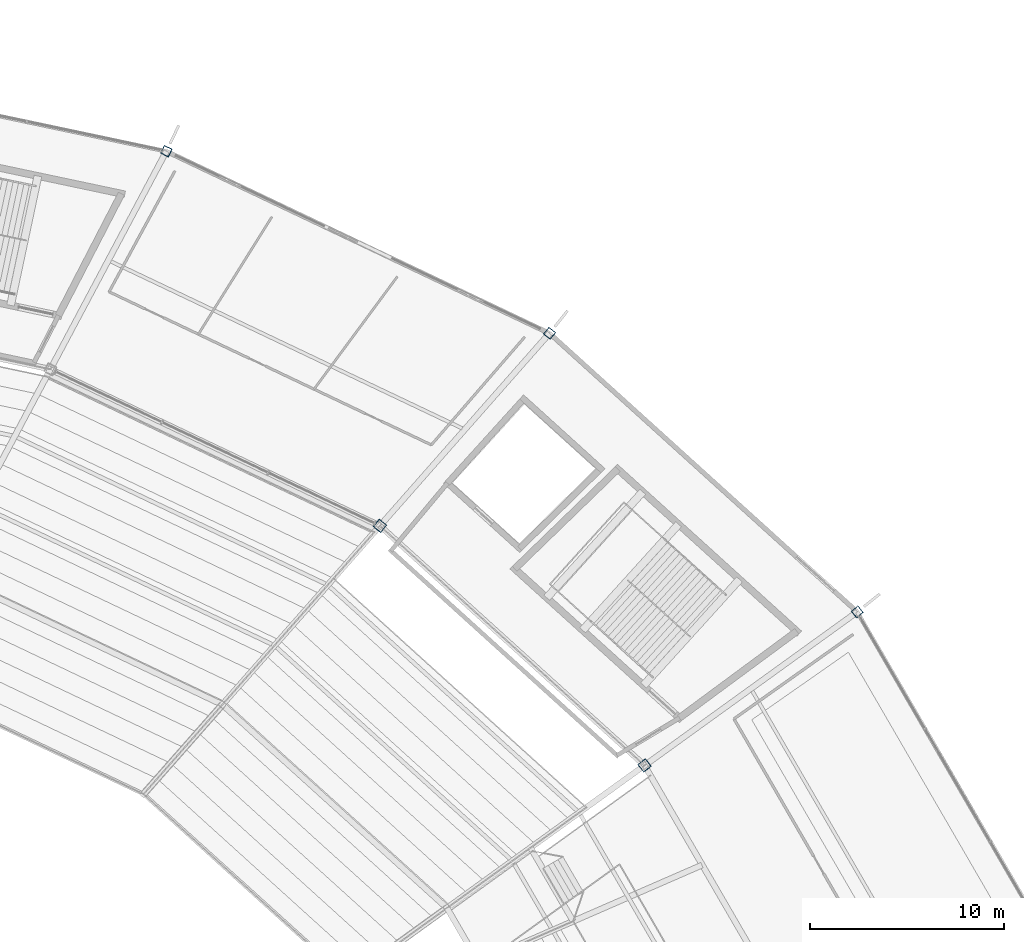
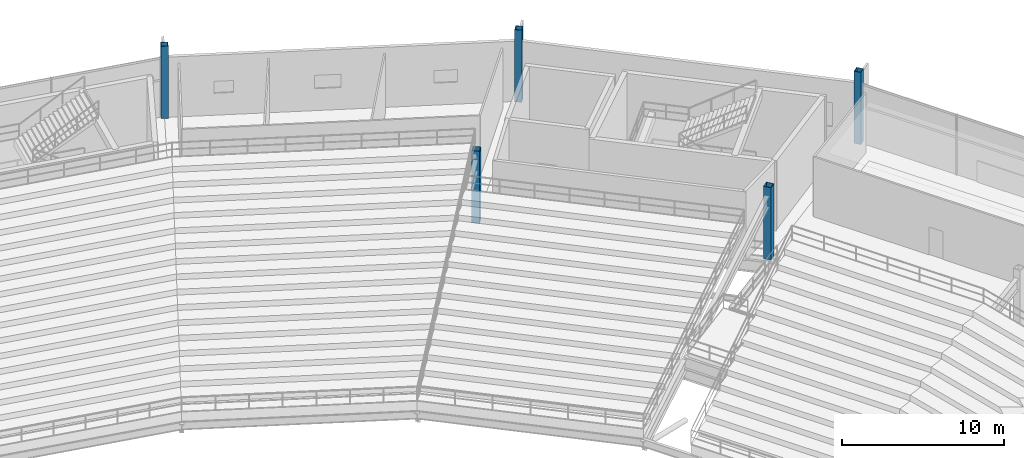
# One storey, part 10 of 186: 5 columns.
"""IFC4 building model written with IfcOpenShell, lengths in metres."""

from ifc_helpers import new_model, si_unit, direction, frame, origin, origin_2d, place, context, subcontext, project, spatial, hollow_rectangle, extrude, material, material_profile, profile_set, type_object, element, save


model = new_model("IFC4")

# Units and contexts
model_context = context("Model", 3, precision=1e-05, world=origin(), true_north=direction((0.0, 1.0)))
body_context = subcontext(model_context, "Body", "Model", "MODEL_VIEW")
ifc_project = project(units=[si_unit("LENGTHUNIT", "METRE"), si_unit("AREAUNIT", "SQUARE_METRE"), si_unit("VOLUMEUNIT", "CUBIC_METRE"), si_unit("PLANEANGLEUNIT", "RADIAN"), si_unit("MASSUNIT", "GRAM", prefix="KILO")], contexts=[model_context])

# Site, building, storey
site_placement = place(None, origin())
site = spatial("IfcSite", under=ifc_project, at=site_placement, CompositionType="ELEMENT")
building_placement = place(site_placement, origin())
building = spatial("IfcBuilding", under=site, at=building_placement, Name="Kazemori Nagisa Stadium", CompositionType="ELEMENT")
storey_placement = place(building_placement, frame((0.0, 0.0, 20.39990234375)))
storey = spatial("IfcBuildingStorey", under=building, at=storey_placement, Name="L04", CompositionType="ELEMENT", Elevation=20.39990234375)

# Columns
ifc_material = material(Name="Steel STKR490", Category="steel")
ifc_material_profile_1 = material_profile(ifc_material, hollow_rectangle(XDim=0.449951171875, YDim=0.449951171875, WallThickness=0.02197265625, at=origin_2d()), Name="SHS-450x450x22")
ifc_profile_set_1 = profile_set([ifc_material_profile_1], Name="Steel STKR490")
column_type_1 = type_object("IfcColumnType", Name="Column_C-ST450", PredefinedType="COLUMN", material=ifc_profile_set_1)
for number, where, z_axis, x_axis, name in (
    (1, (201.495361328125, 158.667724609375, 0.0), (0.0, 0.0, 1.0), (0.781831482473, 0.623489801853, 0.0), "Column C-ST450 L04 R3-04"),
    (2, (185.597900390625, 173.05908203125, 0.0), (0.0, 0.0, 1.0), (0.623489801853, 0.781831482473, 0.0), "Column C-ST450 L04 R3-05"),
    (3, (165.8046875, 182.46435546875, 0.0), (0.0, 0.0, 1.0), (0.433883739113, 0.900968867905, 0.0), "Column C-ST450 L04 R3-06"),
):
    element("IfcColumn", number, at=place(storey_placement, frame(where, z_axis=z_axis, x_axis=x_axis)), inside=storey, type_object=column_type_1, Name=name, PredefinedType="COLUMN", context=body_context, shape_type="SweptSolid", body=[
        extrude(hollow_rectangle(XDim=0.449951171875, YDim=0.449951171875, WallThickness=0.02197265625, at=origin_2d()), origin(), (0.0, 0.0, 1.0), 5.440185546875),
    ])
ifc_material_profile_2 = material_profile(ifc_material, hollow_rectangle(XDim=0.5, YDim=0.5, WallThickness=0.02197265625, at=origin_2d()), Name="SHS-500x500x22")
ifc_profile_set_2 = profile_set([ifc_material_profile_2], Name="Steel STKR490")
column_type_2 = type_object("IfcColumnType", Name="Column_C-ST500", PredefinedType="COLUMN", material=ifc_profile_set_2)
for number, where, z_axis, x_axis, name in (
    (4, (190.506103515625, 150.734130859375, 0.0), (0.0, 0.0, 1.0), (0.781831482473, 0.623489801853, 0.0), "Column C-ST500 L04 R2-04"),
    (5, (176.834228515625, 163.11083984375, 0.0), (0.0, 0.0, 1.0), (0.623489801853, 0.781831482473, 0.0), "Column C-ST500 L04 R2-05"),
):
    element("IfcColumn", number, at=place(storey_placement, frame(where, z_axis=z_axis, x_axis=x_axis)), inside=storey, type_object=column_type_2, Name=name, PredefinedType="COLUMN", context=body_context, shape_type="SweptSolid", body=[
        extrude(hollow_rectangle(XDim=0.5, YDim=0.5, WallThickness=0.02197265625, at=origin_2d()), origin(), (0.0, 0.0, 1.0), 5.440185546875),
    ])

save(model, "model.ifc")
